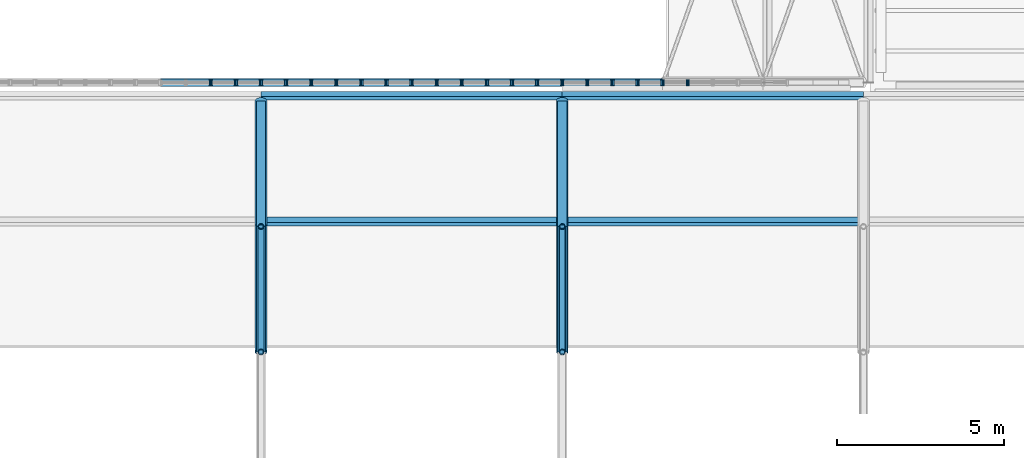
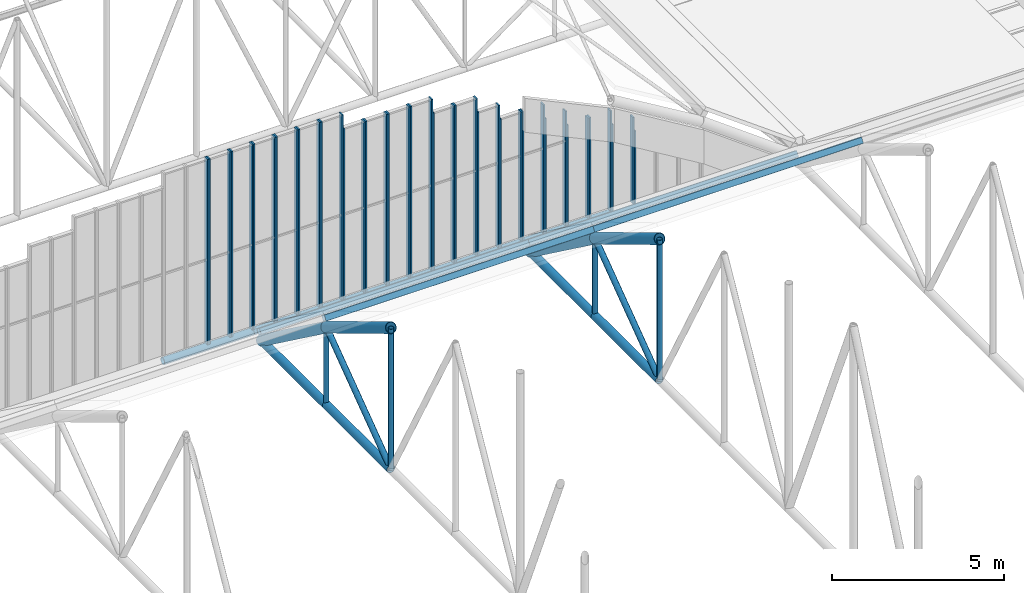
# One storey, part 68 of 153: 63 members, 21 elements without a shape of their own.
"""IFC4 building model written with IfcOpenShell, lengths in metres."""

from ifc_helpers import new_model, si_unit, direction, frame, origin, origin_2d, place, context, subcontext, project, spatial, rectangle, hollow_rectangle, hollow_circle, extrude, material, material_profile, profile_set, type_object, element, aggregate, save


model = new_model("IFC4")

# Units and contexts
model_context = context("Model", 3, precision=1e-05, world=origin(), true_north=direction((0.0, 1.0)))
body_context = subcontext(model_context, "Body", "Model", "MODEL_VIEW")
ifc_project = project(units=[si_unit("LENGTHUNIT", "METRE"), si_unit("AREAUNIT", "SQUARE_METRE"), si_unit("VOLUMEUNIT", "CUBIC_METRE"), si_unit("PLANEANGLEUNIT", "RADIAN"), si_unit("MASSUNIT", "GRAM", prefix="KILO")], contexts=[model_context])

# Site, building, storey
site_placement = place(None, origin())
site = spatial("IfcSite", under=ifc_project, at=site_placement, CompositionType="ELEMENT")
building_placement = place(site_placement, origin())
building = spatial("IfcBuilding", under=site, at=building_placement, Name="Baradari Gate Terminus", CompositionType="ELEMENT")
storey_placement = place(building_placement, frame((0.0, 0.0, 11.699951171875)))
storey = spatial("IfcBuildingStorey", under=building, at=storey_placement, Name="L02", CompositionType="ELEMENT", Elevation=11.699951171875)

# Curtain wall, member
ifc_material_1 = material(Name="Aluminium 6063-T6", Category="aluminium")
curtain_wall_type = type_object("IfcCurtainWallType", Name="Curtain wall CW-60 hall gable glazing", PredefinedType="NOTDEFINED", material=ifc_material_1)
curtain_wall_1_placement = place(storey_placement, origin())
curtain_wall_1 = element("IfcCurtainWall", 1, at=curtain_wall_1_placement, inside=storey, type_object=curtain_wall_type, Name="Hall gable glazing S22", PredefinedType="NOTDEFINED")
ifc_material_2 = material(Name="Aluminium 6063-T6", Category="aluminium")
ifc_material_profile_1 = material_profile(ifc_material_2, rectangle(XDim=0.175048828125, YDim=0.050048828125, at=origin_2d()), Name="CM-60 50X175")
ifc_profile_set_1 = profile_set([ifc_material_profile_1], Name="Aluminium 6063-T6")
member_type_1 = type_object("IfcMemberType", Name="Curtain wall mullion CM-60 50x175", PredefinedType="MULLION", material=ifc_profile_set_1)
member_1_placement = place(storey_placement, frame((151.47509765625, 81.550048828125, 0.234619140625), z_axis=(0.0, 0.0, 1.0), x_axis=(0.0, 1.0, 0.0)))
member_1 = element("IfcMember", 2, at=member_1_placement, type_object=member_type_1, Name="CW-60 mullion 2", PredefinedType="MULLION", context=body_context, shape_type="SweptSolid", body=[
    extrude(rectangle(XDim=0.175048828125, YDim=0.050048828125, at=origin_2d()), origin(), (0.0, 0.0, 1.0), 6.5654296875),
])
aggregate(curtain_wall_1, [member_1])

# Curtain wall, members
curtain_wall_2_placement = place(storey_placement, origin())
curtain_wall_2 = element("IfcCurtainWall", 3, at=curtain_wall_2_placement, inside=storey, type_object=curtain_wall_type, Name="Hall gable glazing S23", PredefinedType="NOTDEFINED")
member_2_placement = place(storey_placement, frame((151.52490234375, 81.550048828125, 0.234619140625), z_axis=(0.0, 0.0, 1.0), x_axis=(0.0, 1.0, 0.0)))
member_2 = element("IfcMember", 4, at=member_2_placement, type_object=member_type_1, Name="CW-60 mullion 1", PredefinedType="MULLION", context=body_context, shape_type="SweptSolid", body=[
    extrude(rectangle(XDim=0.175048828125, YDim=0.050048828125, at=origin_2d()), origin(), (0.0, 0.0, 1.0), 6.5654296875),
])
member_3_placement = place(storey_placement, frame((152.22509765625, 81.550048828125, 0.234619140625), z_axis=(0.0, 0.0, 1.0), x_axis=(0.0, 1.0, 0.0)))
member_3 = element("IfcMember", 5, at=member_3_placement, type_object=member_type_1, Name="CW-60 mullion 2", PredefinedType="MULLION", context=body_context, shape_type="SweptSolid", body=[
    extrude(rectangle(XDim=0.175048828125, YDim=0.050048828125, at=origin_2d()), origin(), (0.0, 0.0, 1.0), 6.5654296875),
])
aggregate(curtain_wall_2, [member_2, member_3])

curtain_wall_3_placement = place(storey_placement, origin())
curtain_wall_3 = element("IfcCurtainWall", 6, at=curtain_wall_3_placement, inside=storey, type_object=curtain_wall_type, Name="Hall gable glazing S24", PredefinedType="NOTDEFINED")
member_4_placement = place(storey_placement, frame((152.27490234375, 81.550048828125, 0.234619140625), z_axis=(0.0, 0.0, 1.0), x_axis=(0.0, 1.0, 0.0)))
member_4 = element("IfcMember", 7, at=member_4_placement, type_object=member_type_1, Name="CW-60 mullion 1", PredefinedType="MULLION", context=body_context, shape_type="SweptSolid", body=[
    extrude(rectangle(XDim=0.175048828125, YDim=0.050048828125, at=origin_2d()), origin(), (0.0, 0.0, 1.0), 6.5654296875),
])
member_5_placement = place(storey_placement, frame((152.97509765625, 81.550048828125, 0.234619140625), z_axis=(0.0, 0.0, 1.0), x_axis=(0.0, 1.0, 0.0)))
member_5 = element("IfcMember", 8, at=member_5_placement, type_object=member_type_1, Name="CW-60 mullion 2", PredefinedType="MULLION", context=body_context, shape_type="SweptSolid", body=[
    extrude(rectangle(XDim=0.175048828125, YDim=0.050048828125, at=origin_2d()), origin(), (0.0, 0.0, 1.0), 6.5654296875),
])
aggregate(curtain_wall_3, [member_4, member_5])

curtain_wall_4_placement = place(storey_placement, origin())
curtain_wall_4 = element("IfcCurtainWall", 9, at=curtain_wall_4_placement, inside=storey, type_object=curtain_wall_type, Name="Hall gable glazing S25", PredefinedType="NOTDEFINED")
member_6_placement = place(storey_placement, frame((153.02490234375, 81.550048828125, 0.234619140625), z_axis=(0.0, 0.0, 1.0), x_axis=(0.0, 1.0, 0.0)))
member_6 = element("IfcMember", 10, at=member_6_placement, type_object=member_type_1, Name="CW-60 mullion 1", PredefinedType="MULLION", context=body_context, shape_type="SweptSolid", body=[
    extrude(rectangle(XDim=0.175048828125, YDim=0.050048828125, at=origin_2d()), origin(), (0.0, 0.0, 1.0), 6.5654296875),
])
member_7_placement = place(storey_placement, frame((153.72509765625, 81.550048828125, 0.234619140625), z_axis=(0.0, 0.0, 1.0), x_axis=(0.0, 1.0, 0.0)))
member_7 = element("IfcMember", 11, at=member_7_placement, type_object=member_type_1, Name="CW-60 mullion 2", PredefinedType="MULLION", context=body_context, shape_type="SweptSolid", body=[
    extrude(rectangle(XDim=0.175048828125, YDim=0.050048828125, at=origin_2d()), origin(), (0.0, 0.0, 1.0), 6.5654296875),
])
aggregate(curtain_wall_4, [member_6, member_7])

curtain_wall_5_placement = place(storey_placement, origin())
curtain_wall_5 = element("IfcCurtainWall", 12, at=curtain_wall_5_placement, inside=storey, type_object=curtain_wall_type, Name="Hall gable glazing S26", PredefinedType="NOTDEFINED")
member_8_placement = place(storey_placement, frame((153.77490234375, 81.550048828125, 0.234619140625), z_axis=(0.0, 0.0, 1.0), x_axis=(0.0, 1.0, 0.0)))
member_8 = element("IfcMember", 13, at=member_8_placement, type_object=member_type_1, Name="CW-60 mullion 1", PredefinedType="MULLION", context=body_context, shape_type="SweptSolid", body=[
    extrude(rectangle(XDim=0.175048828125, YDim=0.050048828125, at=origin_2d()), origin(), (0.0, 0.0, 1.0), 6.5654296875),
])
member_9_placement = place(storey_placement, frame((154.47509765625, 81.550048828125, 0.234619140625), z_axis=(0.0, 0.0, 1.0), x_axis=(0.0, 1.0, 0.0)))
member_9 = element("IfcMember", 14, at=member_9_placement, type_object=member_type_1, Name="CW-60 mullion 2", PredefinedType="MULLION", context=body_context, shape_type="SweptSolid", body=[
    extrude(rectangle(XDim=0.175048828125, YDim=0.050048828125, at=origin_2d()), origin(), (0.0, 0.0, 1.0), 6.5654296875),
])
aggregate(curtain_wall_5, [member_8, member_9])

curtain_wall_6_placement = place(storey_placement, origin())
curtain_wall_6 = element("IfcCurtainWall", 15, at=curtain_wall_6_placement, inside=storey, type_object=curtain_wall_type, Name="Hall gable glazing S27", PredefinedType="NOTDEFINED")
member_10_placement = place(storey_placement, frame((154.52490234375, 81.550048828125, 0.234619140625), z_axis=(0.0, 0.0, 1.0), x_axis=(0.0, 1.0, 0.0)))
member_10 = element("IfcMember", 16, at=member_10_placement, type_object=member_type_1, Name="CW-60 mullion 1", PredefinedType="MULLION", context=body_context, shape_type="SweptSolid", body=[
    extrude(rectangle(XDim=0.175048828125, YDim=0.050048828125, at=origin_2d()), origin(), (0.0, 0.0, 1.0), 6.5654296875),
])
member_11_placement = place(storey_placement, frame((155.22509765625, 81.550048828125, 0.234619140625), z_axis=(0.0, 0.0, 1.0), x_axis=(0.0, 1.0, 0.0)))
member_11 = element("IfcMember", 17, at=member_11_placement, type_object=member_type_1, Name="CW-60 mullion 2", PredefinedType="MULLION", context=body_context, shape_type="SweptSolid", body=[
    extrude(rectangle(XDim=0.175048828125, YDim=0.050048828125, at=origin_2d()), origin(), (0.0, 0.0, 1.0), 6.5654296875),
])
aggregate(curtain_wall_6, [member_10, member_11])

curtain_wall_7_placement = place(storey_placement, origin())
curtain_wall_7 = element("IfcCurtainWall", 18, at=curtain_wall_7_placement, inside=storey, type_object=curtain_wall_type, Name="Hall gable glazing S28", PredefinedType="NOTDEFINED")
member_12_placement = place(storey_placement, frame((155.27490234375, 81.550048828125, 0.234619140625), z_axis=(0.0, 0.0, 1.0), x_axis=(0.0, 1.0, 0.0)))
member_12 = element("IfcMember", 19, at=member_12_placement, type_object=member_type_1, Name="CW-60 mullion 1", PredefinedType="MULLION", context=body_context, shape_type="SweptSolid", body=[
    extrude(rectangle(XDim=0.175048828125, YDim=0.050048828125, at=origin_2d()), origin(), (0.0, 0.0, 1.0), 6.5654296875),
])
member_13_placement = place(storey_placement, frame((155.97509765625, 81.550048828125, 0.234619140625), z_axis=(0.0, 0.0, 1.0), x_axis=(0.0, 1.0, 0.0)))
member_13 = element("IfcMember", 20, at=member_13_placement, type_object=member_type_1, Name="CW-60 mullion 2", PredefinedType="MULLION", context=body_context, shape_type="SweptSolid", body=[
    extrude(rectangle(XDim=0.175048828125, YDim=0.050048828125, at=origin_2d()), origin(), (0.0, 0.0, 1.0), 6.5654296875),
])
aggregate(curtain_wall_7, [member_12, member_13])

curtain_wall_8_placement = place(storey_placement, origin())
curtain_wall_8 = element("IfcCurtainWall", 21, at=curtain_wall_8_placement, inside=storey, type_object=curtain_wall_type, Name="Hall gable glazing S29", PredefinedType="NOTDEFINED")
member_14_placement = place(storey_placement, frame((156.02490234375, 81.550048828125, 0.234619140625), z_axis=(0.0, 0.0, 1.0), x_axis=(0.0, 1.0, 0.0)))
member_14 = element("IfcMember", 22, at=member_14_placement, type_object=member_type_1, Name="CW-60 mullion 1", PredefinedType="MULLION", context=body_context, shape_type="SweptSolid", body=[
    extrude(rectangle(XDim=0.175048828125, YDim=0.050048828125, at=origin_2d()), origin(), (0.0, 0.0, 1.0), 6.0654296875),
])
member_15_placement = place(storey_placement, frame((156.72509765625, 81.550048828125, 0.234619140625), z_axis=(0.0, 0.0, 1.0), x_axis=(0.0, 1.0, 0.0)))
member_15 = element("IfcMember", 23, at=member_15_placement, type_object=member_type_1, Name="CW-60 mullion 2", PredefinedType="MULLION", context=body_context, shape_type="SweptSolid", body=[
    extrude(rectangle(XDim=0.175048828125, YDim=0.050048828125, at=origin_2d()), origin(), (0.0, 0.0, 1.0), 6.0654296875),
])
aggregate(curtain_wall_8, [member_14, member_15])

curtain_wall_9_placement = place(storey_placement, origin())
curtain_wall_9 = element("IfcCurtainWall", 24, at=curtain_wall_9_placement, inside=storey, type_object=curtain_wall_type, Name="Hall gable glazing S30", PredefinedType="NOTDEFINED")
member_16_placement = place(storey_placement, frame((156.77490234375, 81.550048828125, 0.234619140625), z_axis=(0.0, 0.0, 1.0), x_axis=(0.0, 1.0, 0.0)))
member_16 = element("IfcMember", 25, at=member_16_placement, type_object=member_type_1, Name="CW-60 mullion 1", PredefinedType="MULLION", context=body_context, shape_type="SweptSolid", body=[
    extrude(rectangle(XDim=0.175048828125, YDim=0.050048828125, at=origin_2d()), origin(), (0.0, 0.0, 1.0), 6.0654296875),
])
member_17_placement = place(storey_placement, frame((157.47509765625, 81.550048828125, 0.234619140625), z_axis=(0.0, 0.0, 1.0), x_axis=(0.0, 1.0, 0.0)))
member_17 = element("IfcMember", 26, at=member_17_placement, type_object=member_type_1, Name="CW-60 mullion 2", PredefinedType="MULLION", context=body_context, shape_type="SweptSolid", body=[
    extrude(rectangle(XDim=0.175048828125, YDim=0.050048828125, at=origin_2d()), origin(), (0.0, 0.0, 1.0), 6.0654296875),
])
aggregate(curtain_wall_9, [member_16, member_17])

curtain_wall_10_placement = place(storey_placement, origin())
curtain_wall_10 = element("IfcCurtainWall", 27, at=curtain_wall_10_placement, inside=storey, type_object=curtain_wall_type, Name="Hall gable glazing S31", PredefinedType="NOTDEFINED")
member_18_placement = place(storey_placement, frame((157.52490234375, 81.550048828125, 0.234619140625), z_axis=(0.0, 0.0, 1.0), x_axis=(0.0, 1.0, 0.0)))
member_18 = element("IfcMember", 28, at=member_18_placement, type_object=member_type_1, Name="CW-60 mullion 1", PredefinedType="MULLION", context=body_context, shape_type="SweptSolid", body=[
    extrude(rectangle(XDim=0.175048828125, YDim=0.050048828125, at=origin_2d()), origin(), (0.0, 0.0, 1.0), 6.0654296875),
])
member_19_placement = place(storey_placement, frame((158.22509765625, 81.550048828125, 0.234619140625), z_axis=(0.0, 0.0, 1.0), x_axis=(0.0, 1.0, 0.0)))
member_19 = element("IfcMember", 29, at=member_19_placement, type_object=member_type_1, Name="CW-60 mullion 2", PredefinedType="MULLION", context=body_context, shape_type="SweptSolid", body=[
    extrude(rectangle(XDim=0.175048828125, YDim=0.050048828125, at=origin_2d()), origin(), (0.0, 0.0, 1.0), 6.0654296875),
])
aggregate(curtain_wall_10, [member_18, member_19])

curtain_wall_11_placement = place(storey_placement, origin())
curtain_wall_11 = element("IfcCurtainWall", 30, at=curtain_wall_11_placement, inside=storey, type_object=curtain_wall_type, Name="Hall gable glazing S32", PredefinedType="NOTDEFINED")
member_20_placement = place(storey_placement, frame((158.27490234375, 81.550048828125, 0.234619140625), z_axis=(0.0, 0.0, 1.0), x_axis=(0.0, 1.0, 0.0)))
member_20 = element("IfcMember", 31, at=member_20_placement, type_object=member_type_1, Name="CW-60 mullion 1", PredefinedType="MULLION", context=body_context, shape_type="SweptSolid", body=[
    extrude(rectangle(XDim=0.175048828125, YDim=0.050048828125, at=origin_2d()), origin(), (0.0, 0.0, 1.0), 6.0654296875),
])
member_21_placement = place(storey_placement, frame((158.97509765625, 81.550048828125, 0.234619140625), z_axis=(0.0, 0.0, 1.0), x_axis=(0.0, 1.0, 0.0)))
member_21 = element("IfcMember", 32, at=member_21_placement, type_object=member_type_1, Name="CW-60 mullion 2", PredefinedType="MULLION", context=body_context, shape_type="SweptSolid", body=[
    extrude(rectangle(XDim=0.175048828125, YDim=0.050048828125, at=origin_2d()), origin(), (0.0, 0.0, 1.0), 6.0654296875),
])
aggregate(curtain_wall_11, [member_20, member_21])

curtain_wall_12_placement = place(storey_placement, origin())
curtain_wall_12 = element("IfcCurtainWall", 33, at=curtain_wall_12_placement, inside=storey, type_object=curtain_wall_type, Name="Hall gable glazing S33", PredefinedType="NOTDEFINED")
member_22_placement = place(storey_placement, frame((159.02490234375, 81.550048828125, 0.234619140625), z_axis=(0.0, 0.0, 1.0), x_axis=(0.0, 1.0, 0.0)))
member_22 = element("IfcMember", 34, at=member_22_placement, type_object=member_type_1, Name="CW-60 mullion 1", PredefinedType="MULLION", context=body_context, shape_type="SweptSolid", body=[
    extrude(rectangle(XDim=0.175048828125, YDim=0.050048828125, at=origin_2d()), origin(), (0.0, 0.0, 1.0), 5.5654296875),
])
member_23_placement = place(storey_placement, frame((159.72509765625, 81.550048828125, 0.234619140625), z_axis=(0.0, 0.0, 1.0), x_axis=(0.0, 1.0, 0.0)))
member_23 = element("IfcMember", 35, at=member_23_placement, type_object=member_type_1, Name="CW-60 mullion 2", PredefinedType="MULLION", context=body_context, shape_type="SweptSolid", body=[
    extrude(rectangle(XDim=0.175048828125, YDim=0.050048828125, at=origin_2d()), origin(), (0.0, 0.0, 1.0), 5.5654296875),
])
aggregate(curtain_wall_12, [member_22, member_23])

curtain_wall_13_placement = place(storey_placement, origin())
curtain_wall_13 = element("IfcCurtainWall", 36, at=curtain_wall_13_placement, inside=storey, type_object=curtain_wall_type, Name="Hall gable glazing S34", PredefinedType="NOTDEFINED")
member_24_placement = place(storey_placement, frame((159.77490234375, 81.550048828125, 0.234619140625), z_axis=(0.0, 0.0, 1.0), x_axis=(0.0, 1.0, 0.0)))
member_24 = element("IfcMember", 37, at=member_24_placement, type_object=member_type_1, Name="CW-60 mullion 1", PredefinedType="MULLION", context=body_context, shape_type="SweptSolid", body=[
    extrude(rectangle(XDim=0.175048828125, YDim=0.050048828125, at=origin_2d()), origin(), (0.0, 0.0, 1.0), 5.5654296875),
])
member_25_placement = place(storey_placement, frame((160.47509765625, 81.550048828125, 0.234619140625), z_axis=(0.0, 0.0, 1.0), x_axis=(0.0, 1.0, 0.0)))
member_25 = element("IfcMember", 38, at=member_25_placement, type_object=member_type_1, Name="CW-60 mullion 2", PredefinedType="MULLION", context=body_context, shape_type="SweptSolid", body=[
    extrude(rectangle(XDim=0.175048828125, YDim=0.050048828125, at=origin_2d()), origin(), (0.0, 0.0, 1.0), 5.5654296875),
])
aggregate(curtain_wall_13, [member_24, member_25])

curtain_wall_14_placement = place(storey_placement, origin())
curtain_wall_14 = element("IfcCurtainWall", 39, at=curtain_wall_14_placement, inside=storey, type_object=curtain_wall_type, Name="Hall gable glazing S35", PredefinedType="NOTDEFINED")
member_26_placement = place(storey_placement, frame((160.52490234375, 81.550048828125, 0.234619140625), z_axis=(0.0, 0.0, 1.0), x_axis=(0.0, 1.0, 0.0)))
member_26 = element("IfcMember", 40, at=member_26_placement, type_object=member_type_1, Name="CW-60 mullion 1", PredefinedType="MULLION", context=body_context, shape_type="SweptSolid", body=[
    extrude(rectangle(XDim=0.175048828125, YDim=0.050048828125, at=origin_2d()), origin(), (0.0, 0.0, 1.0), 5.0654296875),
])
member_27_placement = place(storey_placement, frame((161.22509765625, 81.550048828125, 0.234619140625), z_axis=(0.0, 0.0, 1.0), x_axis=(0.0, 1.0, 0.0)))
member_27 = element("IfcMember", 41, at=member_27_placement, type_object=member_type_1, Name="CW-60 mullion 2", PredefinedType="MULLION", context=body_context, shape_type="SweptSolid", body=[
    extrude(rectangle(XDim=0.175048828125, YDim=0.050048828125, at=origin_2d()), origin(), (0.0, 0.0, 1.0), 5.0654296875),
])
aggregate(curtain_wall_14, [member_26, member_27])

curtain_wall_15_placement = place(storey_placement, origin())
curtain_wall_15 = element("IfcCurtainWall", 42, at=curtain_wall_15_placement, inside=storey, type_object=curtain_wall_type, Name="Hall gable glazing S36", PredefinedType="NOTDEFINED")
member_28_placement = place(storey_placement, frame((161.27490234375, 81.550048828125, 0.234619140625), z_axis=(0.0, 0.0, 1.0), x_axis=(0.0, 1.0, 0.0)))
member_28 = element("IfcMember", 43, at=member_28_placement, type_object=member_type_1, Name="CW-60 mullion 1", PredefinedType="MULLION", context=body_context, shape_type="SweptSolid", body=[
    extrude(rectangle(XDim=0.175048828125, YDim=0.050048828125, at=origin_2d()), origin(), (0.0, 0.0, 1.0), 4.5654296875),
])
member_29_placement = place(storey_placement, frame((161.97509765625, 81.550048828125, 0.234619140625), z_axis=(0.0, 0.0, 1.0), x_axis=(0.0, 1.0, 0.0)))
member_29 = element("IfcMember", 44, at=member_29_placement, type_object=member_type_1, Name="CW-60 mullion 2", PredefinedType="MULLION", context=body_context, shape_type="SweptSolid", body=[
    extrude(rectangle(XDim=0.175048828125, YDim=0.050048828125, at=origin_2d()), origin(), (0.0, 0.0, 1.0), 4.5654296875),
])
aggregate(curtain_wall_15, [member_28, member_29])

curtain_wall_16_placement = place(storey_placement, origin())
curtain_wall_16 = element("IfcCurtainWall", 45, at=curtain_wall_16_placement, inside=storey, type_object=curtain_wall_type, Name="Hall gable glazing S37", PredefinedType="NOTDEFINED")
member_30_placement = place(storey_placement, frame((162.02490234375, 81.550048828125, 0.234619140625), z_axis=(0.0, 0.0, 1.0), x_axis=(0.0, 1.0, 0.0)))
member_30 = element("IfcMember", 46, at=member_30_placement, type_object=member_type_1, Name="CW-60 mullion 1", PredefinedType="MULLION", context=body_context, shape_type="SweptSolid", body=[
    extrude(rectangle(XDim=0.175048828125, YDim=0.050048828125, at=origin_2d()), origin(), (0.0, 0.0, 1.0), 4.5654296875),
])
member_31_placement = place(storey_placement, frame((162.72509765625, 81.550048828125, 0.234619140625), z_axis=(0.0, 0.0, 1.0), x_axis=(0.0, 1.0, 0.0)))
member_31 = element("IfcMember", 47, at=member_31_placement, type_object=member_type_1, Name="CW-60 mullion 2", PredefinedType="MULLION", context=body_context, shape_type="SweptSolid", body=[
    extrude(rectangle(XDim=0.175048828125, YDim=0.050048828125, at=origin_2d()), origin(), (0.0, 0.0, 1.0), 4.5654296875),
])
aggregate(curtain_wall_16, [member_30, member_31])

curtain_wall_17_placement = place(storey_placement, origin())
curtain_wall_17 = element("IfcCurtainWall", 48, at=curtain_wall_17_placement, inside=storey, type_object=curtain_wall_type, Name="Hall gable glazing S38", PredefinedType="NOTDEFINED")
member_32_placement = place(storey_placement, frame((162.77490234375, 81.550048828125, 0.234619140625), z_axis=(0.0, 0.0, 1.0), x_axis=(0.0, 1.0, 0.0)))
member_32 = element("IfcMember", 49, at=member_32_placement, type_object=member_type_1, Name="CW-60 mullion 1", PredefinedType="MULLION", context=body_context, shape_type="SweptSolid", body=[
    extrude(rectangle(XDim=0.175048828125, YDim=0.050048828125, at=origin_2d()), origin(), (0.0, 0.0, 1.0), 4.0654296875),
])
member_33_placement = place(storey_placement, frame((163.47509765625, 81.550048828125, 0.234619140625), z_axis=(0.0, 0.0, 1.0), x_axis=(0.0, 1.0, 0.0)))
member_33 = element("IfcMember", 50, at=member_33_placement, type_object=member_type_1, Name="CW-60 mullion 2", PredefinedType="MULLION", context=body_context, shape_type="SweptSolid", body=[
    extrude(rectangle(XDim=0.175048828125, YDim=0.050048828125, at=origin_2d()), origin(), (0.0, 0.0, 1.0), 4.0654296875),
])
aggregate(curtain_wall_17, [member_32, member_33])

curtain_wall_18_placement = place(storey_placement, origin())
curtain_wall_18 = element("IfcCurtainWall", 51, at=curtain_wall_18_placement, inside=storey, type_object=curtain_wall_type, Name="Hall gable glazing S39", PredefinedType="NOTDEFINED")
member_34_placement = place(storey_placement, frame((163.52490234375, 81.550048828125, 0.234619140625), z_axis=(0.0, 0.0, 1.0), x_axis=(0.0, 1.0, 0.0)))
member_34 = element("IfcMember", 52, at=member_34_placement, type_object=member_type_1, Name="CW-60 mullion 1", PredefinedType="MULLION", context=body_context, shape_type="SweptSolid", body=[
    extrude(rectangle(XDim=0.175048828125, YDim=0.050048828125, at=origin_2d()), origin(), (0.0, 0.0, 1.0), 3.5654296875),
])
member_35_placement = place(storey_placement, frame((164.22509765625, 81.550048828125, 0.234619140625), z_axis=(0.0, 0.0, 1.0), x_axis=(0.0, 1.0, 0.0)))
member_35 = element("IfcMember", 53, at=member_35_placement, type_object=member_type_1, Name="CW-60 mullion 2", PredefinedType="MULLION", context=body_context, shape_type="SweptSolid", body=[
    extrude(rectangle(XDim=0.175048828125, YDim=0.050048828125, at=origin_2d()), origin(), (0.0, 0.0, 1.0), 3.5654296875),
])
aggregate(curtain_wall_18, [member_34, member_35])

curtain_wall_19_placement = place(storey_placement, origin())
curtain_wall_19 = element("IfcCurtainWall", 54, at=curtain_wall_19_placement, inside=storey, type_object=curtain_wall_type, Name="Hall gable glazing S40", PredefinedType="NOTDEFINED")
member_36_placement = place(storey_placement, frame((164.27490234375, 81.550048828125, 0.234619140625), z_axis=(0.0, 0.0, 1.0), x_axis=(0.0, 1.0, 0.0)))
member_36 = element("IfcMember", 55, at=member_36_placement, type_object=member_type_1, Name="CW-60 mullion 1", PredefinedType="MULLION", context=body_context, shape_type="SweptSolid", body=[
    extrude(rectangle(XDim=0.175048828125, YDim=0.050048828125, at=origin_2d()), origin(), (0.0, 0.0, 1.0), 3.5654296875),
])
member_37_placement = place(storey_placement, frame((164.97509765625, 81.550048828125, 0.234619140625), z_axis=(0.0, 0.0, 1.0), x_axis=(0.0, 1.0, 0.0)))
member_37 = element("IfcMember", 56, at=member_37_placement, type_object=member_type_1, Name="CW-60 mullion 2", PredefinedType="MULLION", context=body_context, shape_type="SweptSolid", body=[
    extrude(rectangle(XDim=0.175048828125, YDim=0.050048828125, at=origin_2d()), origin(), (0.0, 0.0, 1.0), 3.5654296875),
])
aggregate(curtain_wall_19, [member_36, member_37])

curtain_wall_20_placement = place(storey_placement, origin())
curtain_wall_20 = element("IfcCurtainWall", 57, at=curtain_wall_20_placement, inside=storey, type_object=curtain_wall_type, Name="Hall gable glazing S41", PredefinedType="NOTDEFINED")
member_38_placement = place(storey_placement, frame((165.02490234375, 81.550048828125, 0.234619140625), z_axis=(0.0, 0.0, 1.0), x_axis=(0.0, 1.0, 0.0)))
member_38 = element("IfcMember", 58, at=member_38_placement, type_object=member_type_1, Name="CW-60 mullion 1", PredefinedType="MULLION", context=body_context, shape_type="SweptSolid", body=[
    extrude(rectangle(XDim=0.175048828125, YDim=0.050048828125, at=origin_2d()), origin(), (0.0, 0.0, 1.0), 3.0654296875),
])
member_39_placement = place(storey_placement, frame((165.72509765625, 81.550048828125, 0.234619140625), z_axis=(0.0, 0.0, 1.0), x_axis=(0.0, 1.0, 0.0)))
member_39 = element("IfcMember", 59, at=member_39_placement, type_object=member_type_1, Name="CW-60 mullion 2", PredefinedType="MULLION", context=body_context, shape_type="SweptSolid", body=[
    extrude(rectangle(XDim=0.175048828125, YDim=0.050048828125, at=origin_2d()), origin(), (0.0, 0.0, 1.0), 3.0654296875),
])
aggregate(curtain_wall_20, [member_38, member_39])

# Curtain wall, member
curtain_wall_21_placement = place(storey_placement, origin())
curtain_wall_21 = element("IfcCurtainWall", 60, at=curtain_wall_21_placement, inside=storey, type_object=curtain_wall_type, Name="Hall gable glazing S42", PredefinedType="NOTDEFINED")
member_40_placement = place(storey_placement, frame((165.77490234375, 81.550048828125, 0.234619140625), z_axis=(0.0, 0.0, 1.0), x_axis=(0.0, 1.0, 0.0)))
member_40 = element("IfcMember", 61, at=member_40_placement, type_object=member_type_1, Name="CW-60 mullion 1", PredefinedType="MULLION", context=body_context, shape_type="SweptSolid", body=[
    extrude(rectangle(XDim=0.175048828125, YDim=0.050048828125, at=origin_2d()), origin(), (0.0, 0.0, 1.0), 2.5654296875),
])
aggregate(curtain_wall_21, [member_40])

# Members
ifc_material_3 = material(Name="Steel S355", Category="steel")
ifc_material_profile_2 = material_profile(ifc_material_3, hollow_circle(Radius=0.122314453125, WallThickness=0.010009765625, at=origin_2d()), Name="CHS 244.5x10")
ifc_profile_set_2 = profile_set([ifc_material_profile_2], Name="Steel S355")
member_type_2 = type_object("IfcMemberType", Name="Hall vault tie CHS 244.5x10", PredefinedType="CHORD", material=ifc_profile_set_2)
for number, where, z_axis, x_axis, name in (
    (62, (150.0, 81.550048828125, 0.122314453125), (1.0, 0.0, 0.0), (0.0, 1.0, 0.0), "TR/L02/VT1-BC05"),
    (63, (153.0, 81.550048828125, 0.122314453125), (1.0, 0.0, 0.0), (0.0, 1.0, 0.0), "TR/L02/VT1-BC06"),
    (64, (156.0, 81.550048828125, 0.122314453125), (1.0, 0.0, 0.0), (0.0, 1.0, 0.0), "TR/L02/VT1-BC07"),
    (65, (159.0, 81.550048828125, 0.122314453125), (1.0, 0.0, 0.0), (0.0, 1.0, 0.0), "TR/L02/VT1-BC08"),
    (66, (162.0, 81.550048828125, 0.122314453125), (1.0, 0.0, 0.0), (0.0, 1.0, 0.0), "TR/L02/VT1-BC09"),
):
    element("IfcMember", number, at=place(storey_placement, frame(where, z_axis=z_axis, x_axis=x_axis)), inside=storey, type_object=member_type_2, Name=name, PredefinedType="CHORD", context=body_context, shape_type="SweptSolid", body=[
        extrude(hollow_circle(Radius=0.122314453125, WallThickness=0.010009765625, at=origin_2d()), origin(), (0.0, 0.0, 1.0), 3.0),
    ])
ifc_material_4 = material(Name="Steel S355", Category="steel")
ifc_material_profile_3 = material_profile(ifc_material_4, hollow_circle(Radius=0.136474609375, WallThickness=0.012451171875, at=origin_2d()), Name="CHS 273x12.5")
ifc_profile_set_3 = profile_set([ifc_material_profile_3], Name="Steel S355")
member_type_3 = type_object("IfcMemberType", Name="Shed bottom chord CHS 273x12.5", PredefinedType="CHORD", material=ifc_profile_set_3)
for number, where, z_axis, x_axis, name in (
    (67, (153.0, 73.5, 0.136474609375), (0.0, 1.0, 0.0), (-1.0, 0.0, 0.0), "TR/L02/S153-BC10"),
    (68, (153.0, 77.25, 0.136474609375), (0.0, 1.0, 0.0), (-1.0, 0.0, 0.0), "TR/L02/S153-BC11"),
    (69, (162.0, 73.5, 0.136474609375), (0.0, 1.0, 0.0), (-1.0, 0.0, 0.0), "TR/L02/S162-BC10"),
    (70, (162.0, 77.25, 0.136474609375), (0.0, 1.0, 0.0), (-1.0, 0.0, 0.0), "TR/L02/S162-BC11"),
):
    element("IfcMember", number, at=place(storey_placement, frame(where, z_axis=z_axis, x_axis=x_axis)), inside=storey, type_object=member_type_3, Name=name, PredefinedType="CHORD", context=body_context, shape_type="SweptSolid", body=[
        extrude(hollow_circle(Radius=0.136474609375, WallThickness=0.012451171875, at=origin_2d()), origin(), (0.0, 0.0, 1.0), 3.75),
    ])
ifc_material_5 = material(Name="Steel S355", Category="steel")
ifc_material_profile_4 = material_profile(ifc_material_5, hollow_rectangle(XDim=0.199951171875, YDim=0.199951171875, WallThickness=0.008056640625, InnerFilletRadius=0.008056640625, OuterFilletRadius=0.01611328125, at=origin_2d()), Name="SHS 200x200x8")
ifc_profile_set_4 = profile_set([ifc_material_profile_4], Name="Steel S355")
member_type_4 = type_object("IfcMemberType", Name="Shed purlin SHS 200x200x8", PredefinedType="PURLIN", material=ifc_profile_set_4)
for number, where, z_axis, x_axis, name in (
    (71, (153.0, 77.397216796875, 3.10791015625), (1.0, 0.0, 0.0), (0.0, 0.832836263724, -0.55351942859), "TR/L02/B162-PU11"),
    (72, (153.0, 81.1572265625, 0.350830078125), (1.0, 0.0, 0.0), (0.0, 0.80640499586, -0.591363663621), "TR/L02/B162-PU12"),
    (73, (162.0, 77.397216796875, 3.10791015625), (1.0, 0.0, 0.0), (0.0, 0.832836263724, -0.55351942859), "TR/L02/B171-PU11"),
    (74, (162.0, 81.1572265625, 0.350830078125), (1.0, 0.0, 0.0), (0.0, 0.80640499586, -0.591363663621), "TR/L02/B171-PU12"),
):
    element("IfcMember", number, at=place(storey_placement, frame(where, z_axis=z_axis, x_axis=x_axis)), inside=storey, type_object=member_type_4, Name=name, PredefinedType="PURLIN", context=body_context, shape_type="SweptSolid", body=[
        extrude(hollow_rectangle(XDim=0.199951171875, YDim=0.199951171875, WallThickness=0.008056640625, InnerFilletRadius=0.008056640625, OuterFilletRadius=0.01611328125, at=origin_2d()), origin(), (0.0, 0.0, 1.0), 9.0),
    ])
ifc_material_6 = material(Name="Steel S355", Category="steel")
ifc_material_profile_5 = material_profile(ifc_material_6, hollow_circle(Radius=0.177734375, WallThickness=0.01611328125, at=origin_2d()), Name="CHS 355.6x16")
ifc_profile_set_5 = profile_set([ifc_material_profile_5], Name="Steel S355")
member_type_5 = type_object("IfcMemberType", Name="Shed top chord CHS 355.6x16", PredefinedType="CHORD", material=ifc_profile_set_5)
member_41_placement = place(storey_placement, frame((153.0, 73.5, 5.136474609375), z_axis=(0.0, 0.857492925713, -0.514495755428), x_axis=(-1.0, 0.0, 0.0)))
element("IfcMember", 75, at=member_41_placement, inside=storey, type_object=member_type_5, Name="TR/L02/S153-TC10", PredefinedType="CHORD", context=body_context, shape_type="SweptSolid", body=[
    extrude(hollow_circle(Radius=0.177734375, WallThickness=0.01611328125, at=origin_2d()), origin(), (0.0, 0.0, 1.0), 4.373291015625),
])
member_42_placement = place(storey_placement, frame((153.0, 77.25, 2.886474609375), z_axis=(0.0, 0.806404995856, -0.591363663628), x_axis=(-1.0, 0.0, 0.0)))
element("IfcMember", 76, at=member_42_placement, inside=storey, type_object=member_type_5, Name="TR/L02/S153-TC11", PredefinedType="CHORD", context=body_context, shape_type="SweptSolid", body=[
    extrude(hollow_circle(Radius=0.177734375, WallThickness=0.01611328125, at=origin_2d()), origin(), (0.0, 0.0, 1.0), 4.650390625),
])
member_43_placement = place(storey_placement, frame((162.0, 73.5, 5.136474609375), z_axis=(0.0, 0.857492925713, -0.514495755428), x_axis=(-1.0, 0.0, 0.0)))
element("IfcMember", 77, at=member_43_placement, inside=storey, type_object=member_type_5, Name="TR/L02/S162-TC10", PredefinedType="CHORD", context=body_context, shape_type="SweptSolid", body=[
    extrude(hollow_circle(Radius=0.177734375, WallThickness=0.01611328125, at=origin_2d()), origin(), (0.0, 0.0, 1.0), 4.373291015625),
])
member_44_placement = place(storey_placement, frame((162.0, 77.25, 2.886474609375), z_axis=(0.0, 0.806404995856, -0.591363663628), x_axis=(-1.0, 0.0, 0.0)))
element("IfcMember", 78, at=member_44_placement, inside=storey, type_object=member_type_5, Name="TR/L02/S162-TC11", PredefinedType="CHORD", context=body_context, shape_type="SweptSolid", body=[
    extrude(hollow_circle(Radius=0.177734375, WallThickness=0.01611328125, at=origin_2d()), origin(), (0.0, 0.0, 1.0), 4.650390625),
])
ifc_material_7 = material(Name="Steel S355", Category="steel")
ifc_material_profile_6 = material_profile(ifc_material_7, hollow_circle(Radius=0.096923828125, WallThickness=0.008056640625, at=origin_2d()), Name="CHS 193.7x8")
ifc_profile_set_6 = profile_set([ifc_material_profile_6], Name="Steel S355")
member_type_6 = type_object("IfcMemberType", Name="Shed truss diagonal CHS 193.7x8", PredefinedType="BRACE", material=ifc_profile_set_6)
for number, where, z_axis, x_axis, name in (
    (79, (153.0, 77.25, 2.886474609375), (0.0, -0.806404995856, -0.591363663628), (1.0, 0.0, 0.0), "TR/L02/S153-SD10"),
    (80, (162.0, 77.25, 2.886474609375), (0.0, -0.806404995856, -0.591363663628), (1.0, 0.0, 0.0), "TR/L02/S162-SD10"),
):
    element("IfcMember", number, at=place(storey_placement, frame(where, z_axis=z_axis, x_axis=x_axis)), inside=storey, type_object=member_type_6, Name=name, PredefinedType="BRACE", context=body_context, shape_type="SweptSolid", body=[
        extrude(hollow_circle(Radius=0.096923828125, WallThickness=0.008056640625, at=origin_2d()), origin(), (0.0, 0.0, 1.0), 4.650390625),
    ])
ifc_material_8 = material(Name="Steel S355", Category="steel")
ifc_material_profile_7 = material_profile(ifc_material_8, hollow_circle(Radius=0.084228515625, WallThickness=0.008056640625, at=origin_2d()), Name="CHS 168.3x8")
ifc_profile_set_7 = profile_set([ifc_material_profile_7], Name="Steel S355")
member_type_7 = type_object("IfcMemberType", Name="Shed truss post CHS 168.3x8", PredefinedType="POST", material=ifc_profile_set_7)
member_45_placement = place(storey_placement, frame((153.0, 73.5, 0.136474609375), z_axis=(0.0, 0.0, 1.0), x_axis=(1.0, 0.0, 0.0)))
element("IfcMember", 81, at=member_45_placement, inside=storey, type_object=member_type_7, Name="TR/L02/S153-SP10", PredefinedType="POST", context=body_context, shape_type="SweptSolid", body=[
    extrude(hollow_circle(Radius=0.084228515625, WallThickness=0.008056640625, at=origin_2d()), origin(), (0.0, 0.0, 1.0), 5.0),
])
member_46_placement = place(storey_placement, frame((153.0, 77.25, 0.136474609375), z_axis=(0.0, 0.0, 1.0), x_axis=(1.0, 0.0, 0.0)))
element("IfcMember", 82, at=member_46_placement, inside=storey, type_object=member_type_7, Name="TR/L02/S153-SP11", PredefinedType="POST", context=body_context, shape_type="SweptSolid", body=[
    extrude(hollow_circle(Radius=0.084228515625, WallThickness=0.008056640625, at=origin_2d()), origin(), (0.0, 0.0, 1.0), 2.75),
])
member_47_placement = place(storey_placement, frame((162.0, 73.5, 0.136474609375), z_axis=(0.0, 0.0, 1.0), x_axis=(1.0, 0.0, 0.0)))
element("IfcMember", 83, at=member_47_placement, inside=storey, type_object=member_type_7, Name="TR/L02/S162-SP10", PredefinedType="POST", context=body_context, shape_type="SweptSolid", body=[
    extrude(hollow_circle(Radius=0.084228515625, WallThickness=0.008056640625, at=origin_2d()), origin(), (0.0, 0.0, 1.0), 5.0),
])
member_48_placement = place(storey_placement, frame((162.0, 77.25, 0.136474609375), z_axis=(0.0, 0.0, 1.0), x_axis=(1.0, 0.0, 0.0)))
element("IfcMember", 84, at=member_48_placement, inside=storey, type_object=member_type_7, Name="TR/L02/S162-SP11", PredefinedType="POST", context=body_context, shape_type="SweptSolid", body=[
    extrude(hollow_circle(Radius=0.084228515625, WallThickness=0.008056640625, at=origin_2d()), origin(), (0.0, 0.0, 1.0), 2.75),
])

save(model, "model.ifc")
